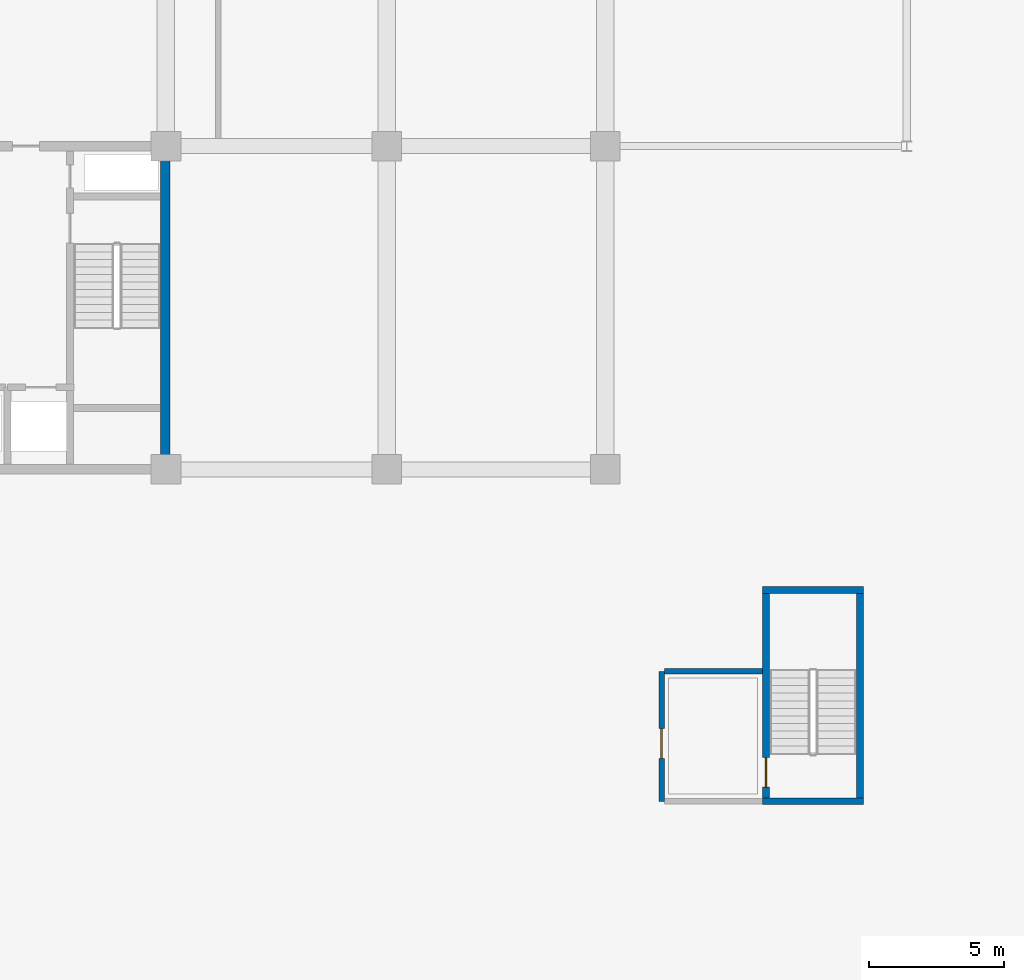
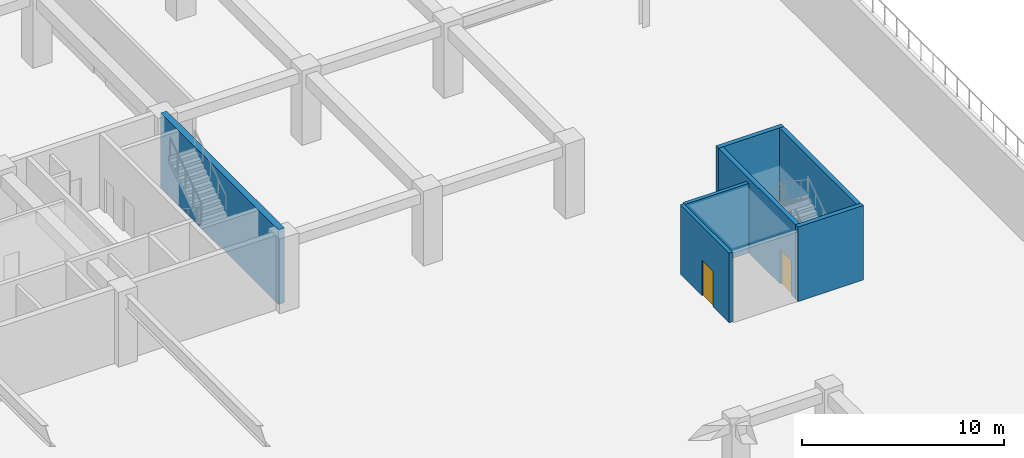
# One storey, part 27 of 43: 7 walls, 2 doors, 2 openings.
"""IFC4 building model written with IfcOpenShell, lengths in metres."""

from ifc_helpers import new_model, si_unit, direction, frame, frame_2d, origin, place, context, subcontext, project, spatial, rectangle, extrude, material, layer, layer_set, type_object, element, fill, save


model = new_model("IFC4")

# Units and contexts
model_context = context("Model", 3, precision=1e-05, world=origin(), true_north=direction((0.0, 1.0)))
body_context = subcontext(model_context, "Body", "Model", "MODEL_VIEW")
ifc_project = project(units=[si_unit("LENGTHUNIT", "METRE"), si_unit("AREAUNIT", "SQUARE_METRE"), si_unit("VOLUMEUNIT", "CUBIC_METRE"), si_unit("PLANEANGLEUNIT", "RADIAN"), si_unit("MASSUNIT", "GRAM", prefix="KILO")], contexts=[model_context])

# Site, building, storey
site_placement = place(None, origin())
site = spatial("IfcSite", under=ifc_project, at=site_placement, CompositionType="ELEMENT")
building_placement = place(site_placement, origin())
building = spatial("IfcBuilding", under=site, at=building_placement, Name="Korimba Cascade Residences", CompositionType="ELEMENT")
storey_placement = place(building_placement, frame((0.0, 0.0, 10.0)))
storey = spatial("IfcBuildingStorey", under=building, at=storey_placement, Name="L02", CompositionType="ELEMENT", Elevation=10.0)

# Wall
ifc_material_1 = material(Name="Concrete C65/80", Category="concrete")
ifc_layer_1 = layer(ifc_material_1, 0.35009765625)
ifc_layer_set_1 = layer_set([ifc_layer_1], Name="Concrete C65/80")
wall_type_1 = type_object("IfcWallType", Name="WAL-CORE-350", PredefinedType="SHEAR", material=ifc_layer_set_1)
wall_1_placement = place(storey_placement, frame((112.074951171875, 55.375, 0.0), z_axis=(0.0, 0.0, 1.0), x_axis=(0.0, 1.0, 0.0)))
element("IfcWall", 1, at=wall_1_placement, inside=storey, type_object=wall_type_1, Name="L02 Core Shear Wall CW-L02-T1-E", PredefinedType="SHEAR", context=body_context, shape_type="SweptSolid", body=[
    extrude(rectangle(XDim=11.64990234375, YDim=0.35009765625, at=frame_2d((5.824951171875, 0.0))), origin(), (0.0, 0.0, 1.0), 4.5),
])

# Wall, opening, door
ifc_material_2 = material(Name="Concrete C40/50", Category="concrete")
ifc_layer_2 = layer(ifc_material_2, 0.199951171875)
ifc_layer_set_2 = layer_set([ifc_layer_2], Name="Concrete C40/50")
wall_type_2 = type_object("IfcWallType", Name="WAL-PART-200", PredefinedType="PARTITIONING", material=ifc_layer_set_2)
wall_2_placement = place(storey_placement, frame((130.5, 42.875, 0.0), z_axis=(0.0, 0.0, 1.0), x_axis=(0.0, 1.0, 0.0)))
wall_2 = element("IfcWall", 2, at=wall_2_placement, inside=storey, type_object=wall_type_2, Name="L02 Partition Wall CW-L02-PLEW", PredefinedType="PARTITIONING", context=body_context, shape_type="SweptSolid", body=[
    extrude(rectangle(XDim=4.824951171875, YDim=0.199951171875, at=frame_2d((2.41259765625, 0.0))), origin(), (0.0, 0.0, 1.0), 4.199951171875),
])
opening_1_placement = place(wall_2_placement, frame((1.60009765625, 0.0, 0.0)))
opening_1 = element("IfcOpeningElement", 3, at=opening_1_placement, cuts=wall_2, Name="Opening D-FD6", PredefinedType="OPENING", context=body_context, shape_type="SweptSolid", body=[
    extrude(rectangle(XDim=1.10009765625, YDim=2.14990234375, at=frame_2d((0.550048828125, 1.074951171875))), frame((0.0, 0.10986328125, 0.0), z_axis=(0.0, -1.0, 0.0), x_axis=(1.0, 0.0, 0.0)), (0.0, 0.0, 1.0), 0.219970703125),
])
ifc_material_3 = material(Name="Fire-Rated Timber Stair Lobby Door", Category="wood")
door_type_1 = type_object("IfcDoorType", Name="DR-FD90-1100", OperationType="NOTDEFINED", PredefinedType="DOOR", material=ifc_material_3)
door_1_placement = place(opening_1_placement, origin())
door_1 = element("IfcDoor", 4, at=door_1_placement, inside=storey, type_object=door_type_1, Name="L02 East Stair Vestibule Door", OperationType="SINGLE_SWING_LEFT", OverallHeight=2.14990234375, OverallWidth=1.10009765625, PredefinedType="DOOR", context=body_context, shape_type="SweptSolid", body=[
    extrude(rectangle(XDim=1.10009765625, YDim=2.14990234375, at=frame_2d((0.550048828125, 1.074951171875))), frame((0.0, 0.02490234375, 0.0), z_axis=(0.0, -1.0, 0.0), x_axis=(1.0, 0.0, 0.0)), (0.0, 0.0, 1.0), 0.050048828125),
])
fill(opening_1, door_1)

# Wall
wall_3_placement = place(storey_placement, frame((130.60009765625, 47.699951171875, 0.0), z_axis=(0.0, 0.0, 1.0), x_axis=(1.0, 0.0, 0.0)))
element("IfcWall", 5, at=wall_3_placement, inside=storey, type_object=wall_type_2, Name="L02 Partition Wall CW-L02-PLEN", PredefinedType="PARTITIONING", context=body_context, shape_type="SweptSolid", body=[
    extrude(rectangle(XDim=3.64990234375, YDim=0.199951171875, at=frame_2d((1.824951171875, 0.0))), origin(), (0.0, 0.0, 1.0), 4.199951171875),
])

# Wall, opening, door
ifc_material_4 = material(Name="Concrete C50/60", Category="concrete")
ifc_layer_3 = layer(ifc_material_4, 0.25)
ifc_layer_set_3 = layer_set([ifc_layer_3], Name="Concrete C50/60")
wall_type_3 = type_object("IfcWallType", Name="WAL-SHAFT-250", PredefinedType="SHEAR", material=ifc_layer_set_3)
wall_4_placement = place(storey_placement, frame((134.375, 43.0, 0.0), z_axis=(0.0, 0.0, 1.0), x_axis=(0.0, 1.0, 0.0)))
wall_4 = element("IfcWall", 6, at=wall_4_placement, inside=storey, type_object=wall_type_3, Name="L02 Core Shear Wall CW-L02-STP2W", PredefinedType="SHEAR", context=body_context, shape_type="SweptSolid", body=[
    extrude(rectangle(XDim=7.60009765625, YDim=0.25, at=frame_2d((3.800048828125, 0.0))), origin(), (0.0, 0.0, 1.0), 4.5),
])
opening_2_placement = place(wall_4_placement, frame((0.39990234375, 0.0, 0.0)))
opening_2 = element("IfcOpeningElement", 7, at=opening_2_placement, cuts=wall_4, Name="Opening D-FD1", PredefinedType="OPENING", context=body_context, shape_type="SweptSolid", body=[
    extrude(rectangle(XDim=1.10009765625, YDim=2.10009765625, at=frame_2d((0.550048828125, 1.050048828125))), frame((0.0, 0.135009765625, 0.0), z_axis=(0.0, -1.0, 0.0), x_axis=(1.0, 0.0, 0.0)), (0.0, 0.0, 1.0), 0.27001953125),
])
ifc_material_5 = material(Name="Fire-Rated Steel Core Door", Category="steel")
door_type_2 = type_object("IfcDoorType", Name="DR-FD120-1100", OperationType="NOTDEFINED", PredefinedType="DOOR", material=ifc_material_5)
door_2_placement = place(opening_2_placement, origin())
door_2 = element("IfcDoor", 8, at=door_2_placement, inside=storey, type_object=door_type_2, Name="L02 Podium Stair ST-P2 Door", OperationType="SINGLE_SWING_RIGHT", OverallHeight=2.10009765625, OverallWidth=1.10009765625, PredefinedType="DOOR", context=body_context, shape_type="SweptSolid", body=[
    extrude(rectangle(XDim=1.10009765625, YDim=2.10009765625, at=frame_2d((0.550048828125, 1.050048828125))), frame((0.0, 0.02490234375, 0.0), z_axis=(0.0, -1.0, 0.0), x_axis=(1.0, 0.0, 0.0)), (0.0, 0.0, 1.0), 0.050048828125),
])
fill(opening_2, door_2)

# Walls
wall_5_placement = place(storey_placement, frame((137.864990234375, 43.0, 0.0), z_axis=(0.0, 0.0, 1.0), x_axis=(0.0, 1.0, 0.0)))
element("IfcWall", 9, at=wall_5_placement, inside=storey, type_object=wall_type_3, Name="L02 Core Shear Wall CW-L02-STP2E", PredefinedType="SHEAR", context=body_context, shape_type="SweptSolid", body=[
    extrude(rectangle(XDim=7.60009765625, YDim=0.25, at=frame_2d((3.800048828125, 0.0))), origin(), (0.0, 0.0, 1.0), 4.5),
])
for number, where, z_axis, x_axis, name in (
    (10, (134.25, 42.875, 0.0), (0.0, 0.0, 1.0), (1.0, 0.0, 0.0), "L02 Core Shear Wall CW-L02-STP2S"),
    (11, (134.25, 50.72509765625, 0.0), (0.0, 0.0, 1.0), (1.0, 0.0, 0.0), "L02 Core Shear Wall CW-L02-STP2N"),
):
    element("IfcWall", number, at=place(storey_placement, frame(where, z_axis=z_axis, x_axis=x_axis)), inside=storey, type_object=wall_type_3, Name=name, PredefinedType="SHEAR", context=body_context, shape_type="SweptSolid", body=[
        extrude(rectangle(XDim=3.739990234375, YDim=0.25, at=frame_2d((1.8701171875, 0.0))), origin(), (0.0, 0.0, 1.0), 4.5),
    ])

save(model, "model.ifc")
